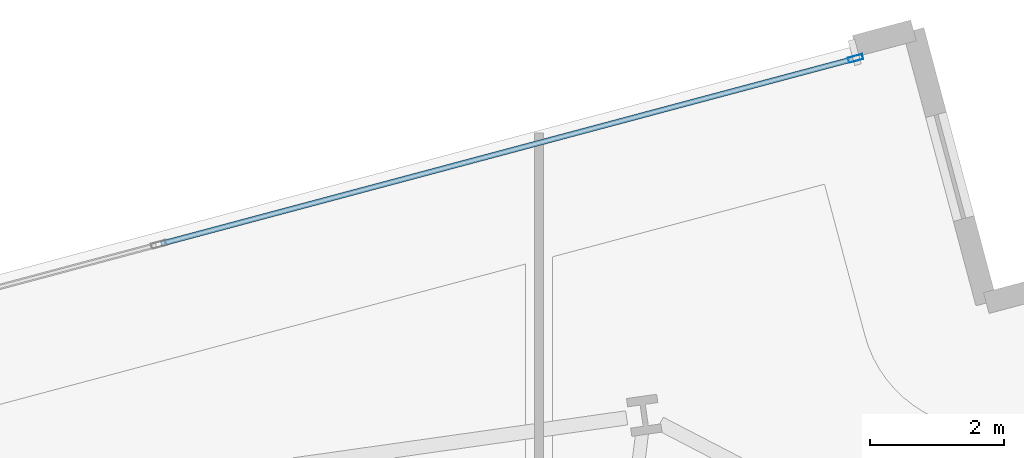
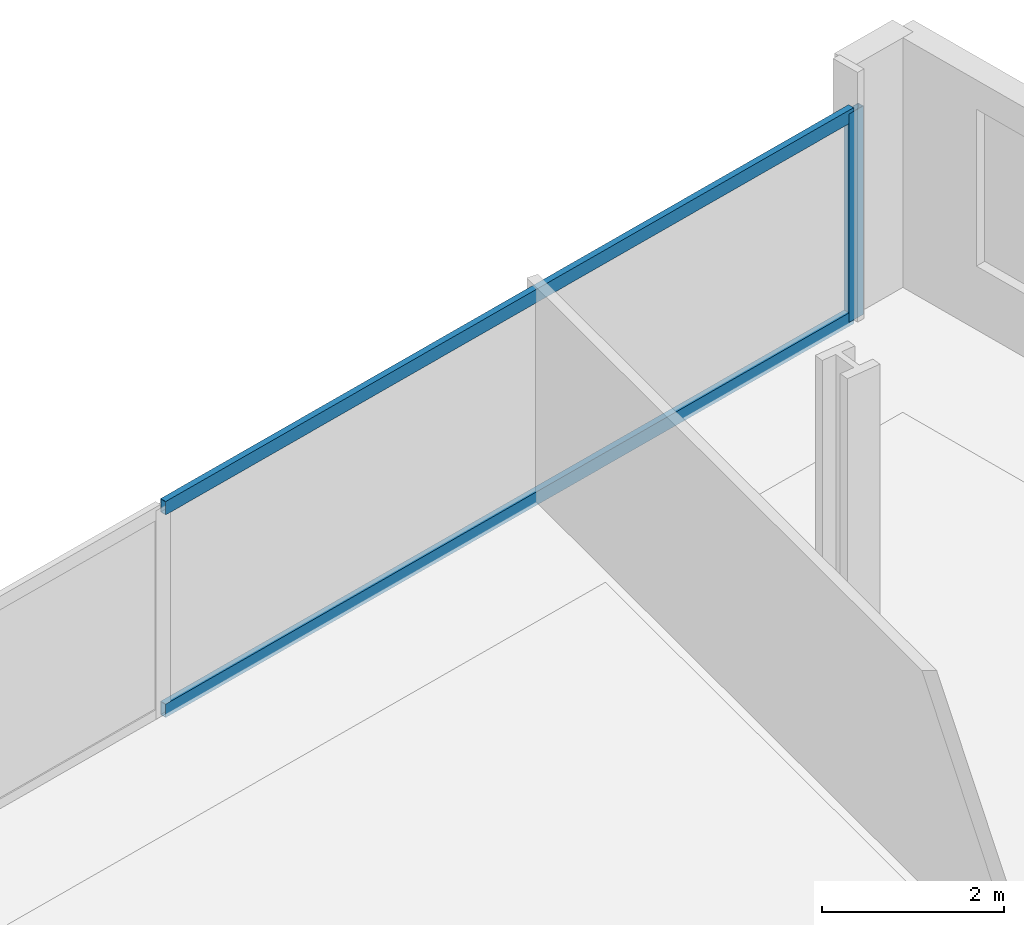
# One storey, part 22 of 33: 3 members, 1 element without a shape of its own.
"""IFC4 building model written with IfcOpenShell, lengths in metres."""

from ifc_helpers import new_model, si_unit, direction, frame, origin, origin_2d, place, context, subcontext, project, spatial, hollow_rectangle, extrude, material, material_profile, profile_set, type_object, element, aggregate, save


model = new_model("IFC4")

# Units and contexts
model_context = context("Model", 3, precision=1e-05, world=origin(), true_north=direction((0.0, 1.0)))
body_context = subcontext(model_context, "Body", "Model", "MODEL_VIEW")
ifc_project = project(units=[si_unit("LENGTHUNIT", "METRE"), si_unit("AREAUNIT", "SQUARE_METRE"), si_unit("VOLUMEUNIT", "CUBIC_METRE"), si_unit("PLANEANGLEUNIT", "RADIAN"), si_unit("MASSUNIT", "GRAM", prefix="KILO")], contexts=[model_context])

# Site, building, storey
site_placement = place(None, origin())
site = spatial("IfcSite", under=ifc_project, at=site_placement, CompositionType="ELEMENT")
building_placement = place(site_placement, origin())
building = spatial("IfcBuilding", under=site, at=building_placement, Name="Haldenkirk Collegiate Tower", CompositionType="ELEMENT")
storey_placement = place(building_placement, frame((0.0, 0.0, 77.699951171875)))
storey = spatial("IfcBuildingStorey", under=building, at=storey_placement, Name="L18", CompositionType="ELEMENT", Elevation=77.699951171875)

# Curtain wall, members
ifc_material = material(Name="Anodised architectural bronze aluminium", Category="aluminium")
curtain_wall_type = type_object("IfcCurtainWallType", Name="CW-SYS1-CONVEX-LOW", PredefinedType="USERDEFINED", material=ifc_material)
curtain_wall_placement = place(storey_placement, origin())
curtain_wall = element("IfcCurtainWall", 1, at=curtain_wall_placement, inside=storey, type_object=curtain_wall_type, Name="L18 Lower tower convex bronze-framed unitised curtain wall", ObjectType="UNITISED CURTAIN WALL", PredefinedType="USERDEFINED")
ifc_material_profile_1 = material_profile(ifc_material, hollow_rectangle(XDim=0.080078125, YDim=0.219970703125, WallThickness=0.0048828125, at=origin_2d()), Name="CW-MUL-1A")
ifc_profile_set_1 = profile_set([ifc_material_profile_1], Name="Anodised architectural bronze aluminium")
member_type_1 = type_object("IfcMemberType", Name="CW-MUL-1A", PredefinedType="MULLION", material=ifc_profile_set_1)
member_1_placement = place(storey_placement, frame((50.211181640625, 56.156982421875, 0.0), z_axis=(0.0, 0.0, 1.0), x_axis=(-0.257974128891, 0.966151824934, 0.0)))
member_1 = element("IfcMember", 2, at=member_1_placement, type_object=member_type_1, Name="CW-1A mullion 5", PredefinedType="MULLION", context=body_context, shape_type="SweptSolid", body=[
    extrude(hollow_rectangle(XDim=0.080078125, YDim=0.219970703125, WallThickness=0.0048828125, at=origin_2d()), origin(), (0.0, 0.0, 1.0), 2.791015625),
])
ifc_material_profile_2 = material_profile(ifc_material, hollow_rectangle(XDim=0.080078125, YDim=0.179931640625, WallThickness=0.0048828125, at=origin_2d()), Name="CW-TRN-1A")
ifc_profile_set_2 = profile_set([ifc_material_profile_2], Name="Anodised architectural bronze aluminium")
member_type_2 = type_object("IfcMemberType", Name="CW-TRN-1A", PredefinedType="USERDEFINED", material=ifc_profile_set_2)
member_2_placement = place(storey_placement, frame((39.878173828125, 53.39794921875, 0.0400390625), z_axis=(0.966156552828, 0.257956421566, 0.0), x_axis=(-0.257956421566, 0.966156552828, 0.0)))
member_2 = element("IfcMember", 3, at=member_2_placement, type_object=member_type_2, Name="CW-1A transom 4.1", ObjectType="TRANSOM", PredefinedType="USERDEFINED", context=body_context, shape_type="SweptSolid", body=[
    extrude(hollow_rectangle(XDim=0.080078125, YDim=0.179931640625, WallThickness=0.0048828125, at=origin_2d()), origin(), (0.0, 0.0, 1.0), 10.655029296875),
])
member_3_placement = place(storey_placement, frame((39.878173828125, 53.39794921875, 2.7509765625), z_axis=(0.966156552828, 0.257956421566, 0.0), x_axis=(-0.257956421566, 0.966156552828, 0.0)))
member_3 = element("IfcMember", 4, at=member_3_placement, type_object=member_type_2, Name="CW-1A transom 4.2", ObjectType="TRANSOM", PredefinedType="USERDEFINED", context=body_context, shape_type="SweptSolid", body=[
    extrude(hollow_rectangle(XDim=0.080078125, YDim=0.179931640625, WallThickness=0.0048828125, at=origin_2d()), origin(), (0.0, 0.0, 1.0), 10.655029296875),
])
aggregate(curtain_wall, [member_1, member_2, member_3])

save(model, "model.ifc")
